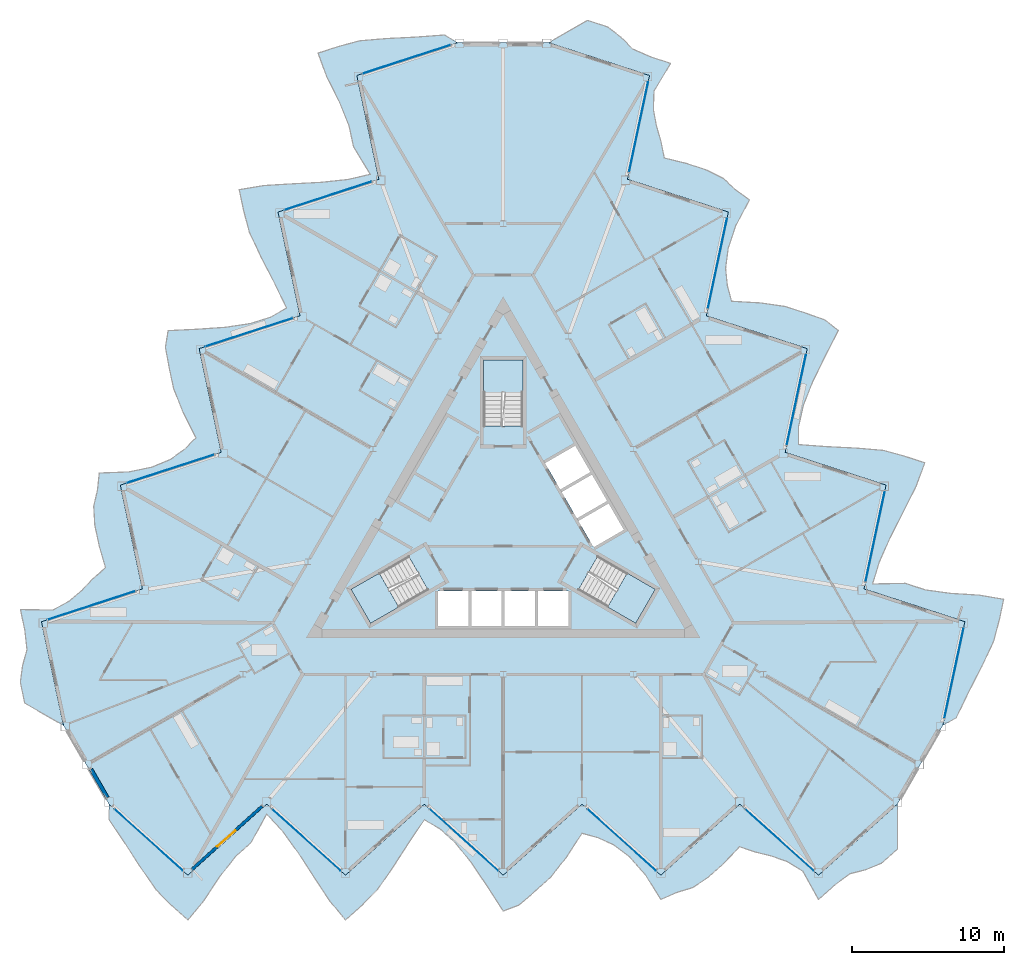
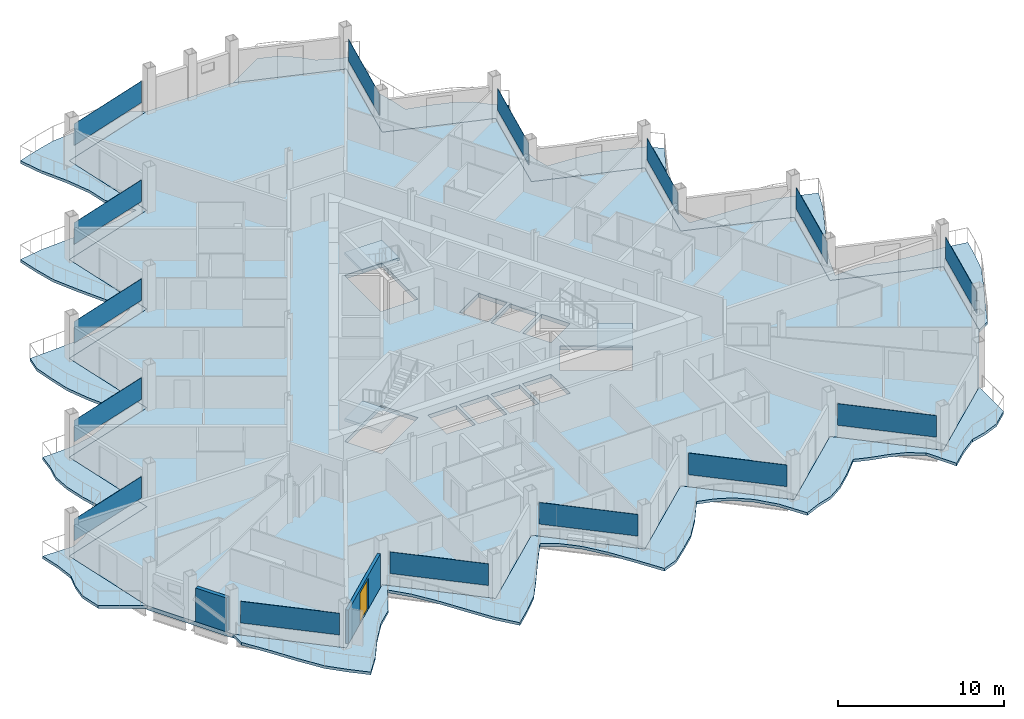
# One storey, part 11 of 26: 15 plates, 7 slabs, 2 walls, 1 door, 1 opening, 18 elements without a shape of their own.
"""IFC4 building model written with IfcOpenShell, lengths in metres."""

from ifc_helpers import new_model, si_unit, direction, frame, frame_2d, origin, origin_2d, place, context, subcontext, project, spatial, polyline, rectangle, outline, extrude, material, layer, layer_set, type_object, element, fill, aggregate, save


model = new_model("IFC4")

# Units and contexts
model_context = context("Model", 3, precision=1e-05, world=origin(), true_north=direction((0.0, 1.0)))
body_context = subcontext(model_context, "Body", "Model", "MODEL_VIEW")
ifc_project = project(units=[si_unit("LENGTHUNIT", "METRE"), si_unit("AREAUNIT", "SQUARE_METRE"), si_unit("VOLUMEUNIT", "CUBIC_METRE"), si_unit("PLANEANGLEUNIT", "RADIAN"), si_unit("MASSUNIT", "GRAM", prefix="KILO")], contexts=[model_context])

# Site, building, storey
site_placement = place(None, origin())
site = spatial("IfcSite", under=ifc_project, at=site_placement, CompositionType="ELEMENT")
building_placement = place(site_placement, origin())
building = spatial("IfcBuilding", under=site, at=building_placement, Name="Cormorant Prow Tower", CompositionType="ELEMENT")
storey_placement = place(building_placement, frame((0.0, 0.0, 339.199951171875)))
storey = spatial("IfcBuildingStorey", under=building, at=storey_placement, Name="L76", CompositionType="ELEMENT", Elevation=339.199951171875)

# Slabs
ifc_material_1 = material(Name="Concrete C40/50", Category="concrete")
ifc_layer_1 = layer(ifc_material_1, 0.199951171875)
ifc_layer_set_1 = layer_set([ifc_layer_1], Name="Concrete C40/50")
slab_type_1 = type_object("IfcSlabType", Name="Balcony slab 200", PredefinedType="FLOOR", material=ifc_layer_set_1)
slab_1_placement = place(storey_placement, frame((0.0, 0.0, -0.199951171875)))
element("IfcSlab", 1, at=slab_1_placement, inside=storey, type_object=slab_type_1, Name="Balcony slab S L76", PredefinedType="FLOOR", context=body_context, shape_type="SweptSolid", body=[
    extrude(outline(polyline([(-25.987548828125, -18.465576171875), (-25.987548828125, -19.481689453125), (-24.9482421875, -21.009033203125), (-23.90869140625, -22.62255859375), (-22.869140625, -24.122802734375), (-21.82958984375, -25.159423828125), (-20.7900390625, -26.095458984375), (-19.75048828125, -24.846923828125), (-18.711181640625, -23.275634765625), (-17.671630859375, -21.9375), (-16.632080078125, -21.00146484375), (-15.592529296875, -19.115478515625), (-14.552978515625, -20.232177734375), (-13.513671875, -21.66357421875), (-12.47412109375, -23.263916015625), (-11.4345703125, -24.83740234375), (-10.39501953125, -26.095458984375), (-9.35546875, -25.159423828125), (-8.316162109375, -24.13037109375), (-7.276611328125, -22.6337890625), (-6.237060546875, -21.020751953125), (-5.197509765625, -19.489990234375), (-4.157958984375, -20.089111328125), (-3.118408203125, -21.044677734375), (-2.0791015625, -22.351318359375), (-1.03955078125, -23.89990234375), (0.0, -25.510009765625), (1.03955078125, -25.111572265625), (2.0791015625, -24.223388671875), (3.118408203125, -23.287353515625), (4.157958984375, -21.96923828125), (5.197509765625, -20.38330078125), (6.237060546875, -20.6640625), (7.276611328125, -21.13232421875), (8.316162109375, -21.926025390625), (9.35546875, -23.08642578125), (10.39501953125, -24.745361328125), (11.4345703125, -24.283935546875), (12.47412109375, -23.968505859375), (13.513671875, -23.287353515625), (14.552978515625, -22.3515625), (15.592529296875, -21.26611328125), (16.632080078125, -21.616943359375), (17.671630859375, -21.875), (18.711181640625, -22.23974609375), (19.75048828125, -22.879150390625), (20.7900390625, -24.745361328125), (21.82958984375, -23.809326171875), (22.869140625, -23.047607421875), (23.90869140625, -22.779541015625), (24.9482421875, -22.3515625), (25.987548828125, -21.41552734375), (25.987548828125, -18.465576171875), (24.9482421875, -19.401611328125), (23.90869140625, -20.33740234375), (22.869140625, -21.2734375), (21.82958984375, -22.20947265625), (20.7900390625, -23.1455078125), (19.75048828125, -22.20947265625), (18.711181640625, -21.2734375), (17.671630859375, -20.33740234375), (16.632080078125, -19.401611328125), (15.592529296875, -18.465576171875), (14.552978515625, -19.401611328125), (13.513671875, -20.33740234375), (12.47412109375, -21.2734375), (11.4345703125, -22.20947265625), (10.39501953125, -23.1455078125), (9.35546875, -22.20947265625), (8.316162109375, -21.2734375), (7.276611328125, -20.33740234375), (6.237060546875, -19.401611328125), (5.197509765625, -18.465576171875), (4.157958984375, -19.401611328125), (3.118408203125, -20.33740234375), (2.0791015625, -21.2734375), (1.03955078125, -22.20947265625), (0.0, -23.1455078125), (-1.03955078125, -22.20947265625), (-2.0791015625, -21.2734375), (-3.118408203125, -20.33740234375), (-4.157958984375, -19.401611328125), (-5.197509765625, -18.465576171875), (-6.237060546875, -19.401611328125), (-7.276611328125, -20.33740234375), (-8.316162109375, -21.2734375), (-9.35546875, -22.20947265625), (-10.39501953125, -23.1455078125), (-11.4345703125, -22.20947265625), (-12.47412109375, -21.2734375), (-13.513671875, -20.33740234375), (-14.552978515625, -19.401611328125), (-15.592529296875, -18.465576171875), (-16.632080078125, -19.401611328125), (-17.671630859375, -20.33740234375), (-18.711181640625, -21.2734375), (-19.75048828125, -22.20947265625), (-20.7900390625, -23.1455078125), (-21.82958984375, -22.20947265625), (-22.869140625, -21.2734375), (-23.90869140625, -20.33740234375), (-24.9482421875, -19.401611328125), (-25.987548828125, -18.465576171875)])), origin(), (0.0, 0.0, 1.0), 0.199951171875),
])
slab_2_placement = place(storey_placement, frame((0.0, 0.0, -0.199951171875)))
element("IfcSlab", 2, at=slab_2_placement, inside=storey, type_object=slab_type_1, Name="Balcony slab ENE L76", PredefinedType="FLOOR", context=body_context, shape_type="SweptSolid", body=[
    extrude(outline(polyline([(28.9853515625, -13.273193359375), (29.865478515625, -12.76513671875), (30.66845703125, -11.10107421875), (31.546142578125, -9.394287109375), (32.325439453125, -7.743896484375), (32.70361328125, -6.3251953125), (32.994384765625, -4.95703125), (31.3935546875, -4.680908203125), (29.512939453125, -4.56640625), (27.834228515625, -4.335205078125), (26.50390625, -3.903076171875), (24.350830078125, -3.94580078125), (24.79833984375, -2.4873046875), (25.51806640625, -0.871337890625), (26.384033203125, 0.8291015625), (27.22705078125, 2.51611328125), (27.796875, 4.04541015625), (26.466552734375, 4.4775390625), (25.0556640625, 4.86328125), (23.23974609375, 5.015380859375), (21.322998046875, 5.10888671875), (19.4775390625, 5.243896484375), (19.4765625, 6.443603515625), (19.784423828125, 7.821533203125), (20.396240234375, 9.375244140625), (21.217529296875, 11.049560546875), (22.09228515625, 12.755126953125), (21.2275390625, 13.4560546875), (19.938720703125, 13.912109375), (18.6083984375, 14.344482421875), (16.94677734375, 14.58544921875), (15.0537109375, 14.69287109375), (14.777099609375, 15.7333984375), (14.6630859375, 16.867919921875), (14.830322265625, 18.164794921875), (15.315673828125, 19.645263671875), (16.232666015625, 21.375), (15.313232421875, 22.04443359375), (14.520263671875, 22.787109375), (13.41064453125, 23.346923828125), (12.080322265625, 23.779052734375), (10.62060546875, 24.136474609375), (10.40478515625, 25.212158203125), (10.1083984375, 26.241455078125), (9.904541015625, 27.32421875), (9.938720703125, 28.544189453125), (11.03515625, 30.37744140625), (9.704833984375, 30.809814453125), (8.525146484375, 31.3291015625), (7.773193359375, 32.09521484375), (6.8828125, 32.781494140625), (5.552490234375, 33.213623046875), (2.997802734375, 31.73876953125), (4.328125, 31.306396484375), (5.658447265625, 30.874267578125), (6.98876953125, 30.44189453125), (8.319091796875, 30.009765625), (9.6494140625, 29.577392578125), (9.358642578125, 28.209228515625), (9.06787109375, 26.841064453125), (8.77685546875, 25.472900390625), (8.486083984375, 24.1044921875), (8.1953125, 22.736328125), (9.525634765625, 22.30419921875), (10.85595703125, 21.871826171875), (12.186279296875, 21.439697265625), (13.5166015625, 21.00732421875), (14.846923828125, 20.5751953125), (14.55615234375, 19.206787109375), (14.265380859375, 17.838623046875), (13.974609375, 16.470458984375), (13.68359375, 15.102294921875), (13.392822265625, 13.73388671875), (14.72314453125, 13.3017578125), (16.053466796875, 12.869384765625), (17.3837890625, 12.437255859375), (18.714111328125, 12.0048828125), (20.04443359375, 11.57275390625), (19.753662109375, 10.20458984375), (19.462890625, 8.836181640625), (19.172119140625, 7.468017578125), (18.881103515625, 6.099853515625), (18.59033203125, 4.7314453125), (19.920654296875, 4.29931640625), (21.2509765625, 3.866943359375), (22.581298828125, 3.434814453125), (23.91162109375, 3.002685546875), (25.241943359375, 2.5703125), (24.951171875, 1.2021484375), (24.660400390625, -0.166259765625), (24.36962890625, -1.534423828125), (24.07861328125, -2.902587890625), (23.787841796875, -4.270751953125), (25.1181640625, -4.703125), (26.448486328125, -5.13525390625), (27.77880859375, -5.567626953125), (29.109130859375, -5.999755859375), (30.439453125, -6.43212890625), (30.148681640625, -7.80029296875), (29.85791015625, -9.16845703125), (29.567138671875, -10.536865234375), (29.2763671875, -11.905029296875), (28.9853515625, -13.273193359375)])), origin(), (0.0, 0.0, 1.0), 0.199951171875),
])
slab_3_placement = place(storey_placement, frame((0.0, 0.0, -0.199951171875)))
element("IfcSlab", 3, at=slab_3_placement, inside=storey, type_object=slab_type_1, Name="Balcony slab WNW L76", PredefinedType="FLOOR", context=body_context, shape_type="SweptSolid", body=[
    extrude(outline(polyline([(-2.997802734375, 31.73876953125), (-3.877685546875, 32.246826171875), (-5.720458984375, 32.1103515625), (-7.637451171875, 32.016845703125), (-9.456298828125, 31.86669921875), (-10.873779296875, 31.484619140625), (-12.2041015625, 31.052490234375), (-11.642822265625, 29.528076171875), (-10.8017578125, 27.842041015625), (-10.16259765625, 26.272705078125), (-9.871826171875, 24.904541015625), (-8.75830078125, 23.061279296875), (-10.2451171875, 22.719482421875), (-12.00439453125, 22.534912109375), (-13.91015625, 22.434814453125), (-15.79248046875, 22.3212890625), (-17.40185546875, 22.050048828125), (-17.11083984375, 20.681884765625), (-16.739501953125, 19.26708984375), (-15.963134765625, 17.61865234375), (-15.0859375, 15.911865234375), (-14.280029296875, 14.246337890625), (-15.318603515625, 13.6455078125), (-16.666015625, 13.22314453125), (-18.3173828125, 12.97607421875), (-20.17822265625, 12.85009765625), (-22.09228515625, 12.755126953125), (-22.26708984375, 11.655517578125), (-22.017578125, 10.311279296875), (-21.726806640625, 8.943115234375), (-21.10498046875, 7.383544921875), (-20.251220703125, 5.6904296875), (-21.01416015625, 4.9306640625), (-21.939453125, 4.2646484375), (-23.146484375, 3.760986328125), (-24.671142578125, 3.441162109375), (-26.627685546875, 3.370361328125), (-26.747802734375, 2.2392578125), (-26.994384765625, 1.181396484375), (-26.92431640625, -0.059326171875), (-26.633544921875, -1.427490234375), (-26.213134765625, -2.87060546875), (-27.036865234375, -3.595458984375), (-27.780029296875, -4.36669921875), (-28.61572265625, -5.08447265625), (-29.689208984375, -5.6650390625), (-31.8251953125, -5.632080078125), (-31.534423828125, -7.000244140625), (-31.394287109375, -8.281494140625), (-31.681884765625, -9.315673828125), (-31.8310546875, -10.429931640625), (-31.540283203125, -11.798095703125), (-28.9853515625, -13.273193359375), (-29.2763671875, -11.905029296875), (-29.567138671875, -10.536865234375), (-29.85791015625, -9.16845703125), (-30.148681640625, -7.80029296875), (-30.439453125, -6.43212890625), (-29.109130859375, -5.999755859375), (-27.77880859375, -5.567626953125), (-26.448486328125, -5.13525390625), (-25.1181640625, -4.703125), (-23.787841796875, -4.270751953125), (-24.07861328125, -2.902587890625), (-24.36962890625, -1.534423828125), (-24.660400390625, -0.166259765625), (-24.951171875, 1.2021484375), (-25.241943359375, 2.5703125), (-23.91162109375, 3.002685546875), (-22.581298828125, 3.434814453125), (-21.2509765625, 3.866943359375), (-19.920654296875, 4.29931640625), (-18.59033203125, 4.7314453125), (-18.881103515625, 6.099853515625), (-19.172119140625, 7.468017578125), (-19.462890625, 8.836181640625), (-19.753662109375, 10.20458984375), (-20.04443359375, 11.57275390625), (-18.714111328125, 12.0048828125), (-17.3837890625, 12.437255859375), (-16.053466796875, 12.869384765625), (-14.72314453125, 13.3017578125), (-13.392822265625, 13.73388671875), (-13.68359375, 15.102294921875), (-13.974609375, 16.470458984375), (-14.265380859375, 17.838623046875), (-14.55615234375, 19.206787109375), (-14.846923828125, 20.5751953125), (-13.5166015625, 21.00732421875), (-12.186279296875, 21.439697265625), (-10.85595703125, 21.871826171875), (-9.525634765625, 22.30419921875), (-8.1953125, 22.736328125), (-8.486083984375, 24.1044921875), (-8.77685546875, 25.472900390625), (-9.06787109375, 26.841064453125), (-9.358642578125, 28.209228515625), (-9.6494140625, 29.577392578125), (-8.319091796875, 30.009765625), (-6.98876953125, 30.44189453125), (-5.658447265625, 30.874267578125), (-4.328125, 31.306396484375), (-2.997802734375, 31.73876953125)])), origin(), (0.0, 0.0, 1.0), 0.199951171875),
])
ifc_material_2 = material(Name="Concrete C40/50", Category="concrete")
ifc_layer_2 = layer(ifc_material_2, 0.300048828125)
ifc_layer_set_2 = layer_set([ifc_layer_2], Name="Concrete C40/50")
slab_type_2 = type_object("IfcSlabType", Name="Post-tensioned flat slab 300", PredefinedType="FLOOR", material=ifc_layer_set_2)
slab_4_placement = place(storey_placement, frame((0.0, 0.0, -0.300048828125)))
element("IfcSlab", 4, at=slab_4_placement, inside=storey, type_object=slab_type_2, Name="Floor slab L76", PredefinedType="FLOOR", context=body_context, shape_type="SweptSolid", body=[
    extrude(outline(polyline([(-8.1953125, 22.736328125), (-14.846923828125, 20.5751953125), (-13.392822265625, 13.73388671875), (-20.04443359375, 11.57275390625), (-18.59033203125, 4.7314453125), (-25.241943359375, 2.5703125), (-23.787841796875, -4.270751953125), (-30.439453125, -6.43212890625), (-28.9853515625, -13.273193359375), (-27.486572265625, -15.869384765625), (-25.987548828125, -18.465576171875), (-20.7900390625, -23.1455078125), (-15.592529296875, -18.465576171875), (-10.39501953125, -23.1455078125), (-5.197509765625, -18.465576171875), (0.0, -23.1455078125), (5.197509765625, -18.465576171875), (10.39501953125, -23.1455078125), (15.592529296875, -18.465576171875), (20.7900390625, -23.1455078125), (25.987548828125, -18.465576171875), (27.486572265625, -15.869384765625), (28.9853515625, -13.273193359375), (30.439453125, -6.43212890625), (23.787841796875, -4.270751953125), (25.241943359375, 2.5703125), (18.59033203125, 4.7314453125), (20.04443359375, 11.57275390625), (13.392822265625, 13.73388671875), (14.846923828125, 20.5751953125), (8.1953125, 22.736328125), (9.6494140625, 29.577392578125), (2.997802734375, 31.73876953125), (0.0, 31.73876953125), (-2.997802734375, 31.73876953125), (-9.6494140625, 29.577392578125), (-8.1953125, 22.736328125)]), holes=[polyline([(-4.300048828125, -4.39990234375), (-2.300048828125, -4.39990234375), (-2.300048828125, -6.699951171875), (-4.300048828125, -6.699951171875), (-4.300048828125, -4.39990234375)]), polyline([(-0.10009765625, -4.39990234375), (-0.10009765625, -6.699951171875), (-2.10009765625, -6.699951171875), (-2.10009765625, -4.39990234375), (-0.10009765625, -4.39990234375)]), polyline([(2.10009765625, -6.699951171875), (0.10009765625, -6.699951171875), (0.10009765625, -4.39990234375), (2.10009765625, -4.39990234375), (2.10009765625, -6.699951171875)]), polyline([(2.300048828125, -6.699951171875), (2.300048828125, -4.39990234375), (4.300048828125, -4.39990234375), (4.300048828125, -6.699951171875), (2.300048828125, -6.699951171875)]), polyline([(5.96044921875, -1.52392578125), (4.96044921875, 0.2080078125), (6.952392578125, 1.358154296875), (7.952392578125, -0.373779296875), (5.96044921875, -1.52392578125)]), polyline([(3.860595703125, 2.11328125), (5.852294921875, 3.263427734375), (6.852294921875, 1.53125), (4.860595703125, 0.38134765625), (3.860595703125, 2.11328125)]), polyline([(4.75244140625, 5.168701171875), (5.75244140625, 3.4365234375), (3.760498046875, 2.28662109375), (2.760498046875, 4.018798828125), (4.75244140625, 5.168701171875)]), polyline([(-4.947509765625, -4.3505859375), (-8.738037109375, -6.5390625), (-10.031982421875, -4.2978515625), (-6.241455078125, -2.109375), (-4.947509765625, -4.3505859375)]), polyline([(10.031982421875, -4.2978515625), (8.738037109375, -6.5390625), (4.947509765625, -4.3505859375), (6.241455078125, -2.109375), (10.031982421875, -4.2978515625)]), polyline([(1.2939453125, 10.8369140625), (1.2939453125, 6.459716796875), (-1.2939453125, 6.459716796875), (-1.2939453125, 10.8369140625), (1.2939453125, 10.8369140625)])]), origin(), (0.0, 0.0, 1.0), 0.300048828125),
])

# Curtain wall, plate
ifc_material_3 = material(Name="Aluminium 6063-T6", Category="aluminium")
ifc_layer_3 = layer(ifc_material_3, 0.159912109375)
ifc_layer_set_3 = layer_set([ifc_layer_3], Name="Aluminium 6063-T6")
curtain_wall_type = type_object("IfcCurtainWallType", Name="Residential unitised curtain wall 160", PredefinedType="NOTDEFINED", material=ifc_layer_set_3)
curtain_wall_1_placement = place(storey_placement, origin())
curtain_wall_1 = element("IfcCurtainWall", 5, at=curtain_wall_1_placement, inside=storey, type_object=curtain_wall_type, Name="Residential curtain wall S00", PredefinedType="NOTDEFINED")
ifc_material_4 = material(Name="Clear glass", Category="glass")
ifc_layer_4 = layer(ifc_material_4, 0.02392578125)
ifc_layer_set_4 = layer_set([ifc_layer_4], Name="Clear glass")
plate_type = type_object("IfcPlateType", Name="Residential glass panel 24", PredefinedType="CURTAIN_PANEL", material=ifc_layer_set_4)
plate_1_placement = place(storey_placement, frame((-23.370361328125, -20.822265625, 0.900146484375), z_axis=(0.0, 0.0, 1.0), x_axis=(0.743144777922, -0.669130659174, 0.0)))
plate_1 = element("IfcPlate", 6, at=plate_1_placement, type_object=plate_type, Name="Residential glass panel S00", PredefinedType="CURTAIN_PANEL", context=body_context, shape_type="SweptSolid", body=[
    extrude(rectangle(XDim=6.075927734375, YDim=0.02392578125, at=origin_2d()), origin(), (0.0, 0.0, 1.0), 1.587890625),
])
aggregate(curtain_wall_1, [plate_1])

curtain_wall_2_placement = place(storey_placement, origin())
curtain_wall_2 = element("IfcCurtainWall", 7, at=curtain_wall_2_placement, inside=storey, type_object=curtain_wall_type, Name="Residential curtain wall S02", PredefinedType="NOTDEFINED")
plate_2_placement = place(storey_placement, frame((-12.975341796875, -20.822265625, 0.900146484375), z_axis=(0.0, 0.0, 1.0), x_axis=(0.743144841944, -0.669130588071, 0.0)))
plate_2 = element("IfcPlate", 8, at=plate_2_placement, type_object=plate_type, Name="Residential glass panel S02", PredefinedType="CURTAIN_PANEL", context=body_context, shape_type="SweptSolid", body=[
    extrude(rectangle(XDim=6.075927734375, YDim=0.02392578125, at=origin_2d()), origin(), (0.0, 0.0, 1.0), 1.587890625),
])
aggregate(curtain_wall_2, [plate_2])

curtain_wall_3_placement = place(storey_placement, origin())
curtain_wall_3 = element("IfcCurtainWall", 9, at=curtain_wall_3_placement, inside=storey, type_object=curtain_wall_type, Name="Residential curtain wall S04", PredefinedType="NOTDEFINED")
plate_3_placement = place(storey_placement, frame((-2.580078125, -20.822265625, 0.900146484375), z_axis=(0.0, 0.0, 1.0), x_axis=(0.743144841944, -0.669130588071, 0.0)))
plate_3 = element("IfcPlate", 10, at=plate_3_placement, type_object=plate_type, Name="Residential glass panel S04", PredefinedType="CURTAIN_PANEL", context=body_context, shape_type="SweptSolid", body=[
    extrude(rectangle(XDim=6.075927734375, YDim=0.02392578125, at=origin_2d()), origin(), (0.0, 0.0, 1.0), 1.587890625),
])
aggregate(curtain_wall_3, [plate_3])

curtain_wall_4_placement = place(storey_placement, origin())
curtain_wall_4 = element("IfcCurtainWall", 11, at=curtain_wall_4_placement, inside=storey, type_object=curtain_wall_type, Name="Residential curtain wall S06", PredefinedType="NOTDEFINED")
plate_4_placement = place(storey_placement, frame((7.81494140625, -20.822265625, 0.900146484375), z_axis=(0.0, 0.0, 1.0), x_axis=(0.743144777922, -0.669130659174, 0.0)))
plate_4 = element("IfcPlate", 12, at=plate_4_placement, type_object=plate_type, Name="Residential glass panel S06", PredefinedType="CURTAIN_PANEL", context=body_context, shape_type="SweptSolid", body=[
    extrude(rectangle(XDim=6.075927734375, YDim=0.02392578125, at=origin_2d()), origin(), (0.0, 0.0, 1.0), 1.587890625),
])
aggregate(curtain_wall_4, [plate_4])

curtain_wall_5_placement = place(storey_placement, origin())
curtain_wall_5 = element("IfcCurtainWall", 13, at=curtain_wall_5_placement, inside=storey, type_object=curtain_wall_type, Name="Residential curtain wall S08", PredefinedType="NOTDEFINED")
plate_5_placement = place(storey_placement, frame((18.2099609375, -20.822265625, 0.900146484375), z_axis=(0.0, 0.0, 1.0), x_axis=(0.743144841944, -0.669130588071, 0.0)))
plate_5 = element("IfcPlate", 14, at=plate_5_placement, type_object=plate_type, Name="Residential glass panel S08", PredefinedType="CURTAIN_PANEL", context=body_context, shape_type="SweptSolid", body=[
    extrude(rectangle(XDim=6.075927734375, YDim=0.02392578125, at=origin_2d()), origin(), (0.0, 0.0, 1.0), 1.587890625),
])
aggregate(curtain_wall_5, [plate_5])

curtain_wall_6_placement = place(storey_placement, origin())
curtain_wall_6 = element("IfcCurtainWall", 15, at=curtain_wall_6_placement, inside=storey, type_object=curtain_wall_type, Name="Residential curtain wall ENE00", PredefinedType="NOTDEFINED")
plate_6_placement = place(storey_placement, frame((29.7177734375, -9.828125, 0.900146484375), z_axis=(0.0, 0.0, 1.0), x_axis=(0.207911710211, 0.978147596612, 0.0)))
plate_6 = element("IfcPlate", 16, at=plate_6_placement, type_object=plate_type, Name="Residential glass panel ENE00", PredefinedType="CURTAIN_PANEL", context=body_context, shape_type="SweptSolid", body=[
    extrude(rectangle(XDim=6.075927734375, YDim=0.02392578125, at=origin_2d()), origin(), (0.0, 0.0, 1.0), 1.587890625),
])
aggregate(curtain_wall_6, [plate_6])

curtain_wall_7_placement = place(storey_placement, origin())
curtain_wall_7 = element("IfcCurtainWall", 17, at=curtain_wall_7_placement, inside=storey, type_object=curtain_wall_type, Name="Residential curtain wall ENE02", PredefinedType="NOTDEFINED")
plate_7_placement = place(storey_placement, frame((24.520263671875, -0.82568359375, 0.900146484375), z_axis=(0.0, 0.0, 1.0), x_axis=(0.207911739302, 0.978147590428, 0.0)))
plate_7 = element("IfcPlate", 18, at=plate_7_placement, type_object=plate_type, Name="Residential glass panel ENE02", PredefinedType="CURTAIN_PANEL", context=body_context, shape_type="SweptSolid", body=[
    extrude(rectangle(XDim=6.075927734375, YDim=0.02392578125, at=origin_2d()), origin(), (0.0, 0.0, 1.0), 1.587890625),
])
aggregate(curtain_wall_7, [plate_7])

curtain_wall_8_placement = place(storey_placement, origin())
curtain_wall_8 = element("IfcCurtainWall", 19, at=curtain_wall_8_placement, inside=storey, type_object=curtain_wall_type, Name="Residential curtain wall ENE04", PredefinedType="NOTDEFINED")
plate_8_placement = place(storey_placement, frame((19.322509765625, 8.176513671875, 0.900146484375), z_axis=(0.0, 0.0, 1.0), x_axis=(0.207911739302, 0.978147590428, 0.0)))
plate_8 = element("IfcPlate", 20, at=plate_8_placement, type_object=plate_type, Name="Residential glass panel ENE04", PredefinedType="CURTAIN_PANEL", context=body_context, shape_type="SweptSolid", body=[
    extrude(rectangle(XDim=6.075927734375, YDim=0.02392578125, at=origin_2d()), origin(), (0.0, 0.0, 1.0), 1.587890625),
])
aggregate(curtain_wall_8, [plate_8])

curtain_wall_9_placement = place(storey_placement, origin())
curtain_wall_9 = element("IfcCurtainWall", 21, at=curtain_wall_9_placement, inside=storey, type_object=curtain_wall_type, Name="Residential curtain wall ENE06", PredefinedType="NOTDEFINED")
plate_9_placement = place(storey_placement, frame((14.125, 17.178955078125, 0.900146484375), z_axis=(0.0, 0.0, 1.0), x_axis=(0.207911739302, 0.978147590428, 0.0)))
plate_9 = element("IfcPlate", 22, at=plate_9_placement, type_object=plate_type, Name="Residential glass panel ENE06", PredefinedType="CURTAIN_PANEL", context=body_context, shape_type="SweptSolid", body=[
    extrude(rectangle(XDim=6.075927734375, YDim=0.02392578125, at=origin_2d()), origin(), (0.0, 0.0, 1.0), 1.587890625),
])
aggregate(curtain_wall_9, [plate_9])

curtain_wall_10_placement = place(storey_placement, origin())
curtain_wall_10 = element("IfcCurtainWall", 23, at=curtain_wall_10_placement, inside=storey, type_object=curtain_wall_type, Name="Residential curtain wall ENE08", PredefinedType="NOTDEFINED")
plate_10_placement = place(storey_placement, frame((8.927490234375, 26.181396484375, 0.900146484375), z_axis=(0.0, 0.0, 1.0), x_axis=(0.207911602505, 0.978147619505, 0.0)))
plate_10 = element("IfcPlate", 24, at=plate_10_placement, type_object=plate_type, Name="Residential glass panel ENE08", PredefinedType="CURTAIN_PANEL", context=body_context, shape_type="SweptSolid", body=[
    extrude(rectangle(XDim=6.075927734375, YDim=0.02392578125, at=origin_2d()), origin(), (0.0, 0.0, 1.0), 1.587890625),
])
aggregate(curtain_wall_10, [plate_10])

curtain_wall_11_placement = place(storey_placement, origin())
curtain_wall_11 = element("IfcCurtainWall", 25, at=curtain_wall_11_placement, inside=storey, type_object=curtain_wall_type, Name="Residential curtain wall WNW00", PredefinedType="NOTDEFINED")
plate_11_placement = place(storey_placement, frame((-6.347412109375, 30.650390625, 0.900146484375), z_axis=(0.0, 0.0, 1.0), x_axis=(-0.951056490963, -0.309017072341, 0.0)))
plate_11 = element("IfcPlate", 26, at=plate_11_placement, type_object=plate_type, Name="Residential glass panel WNW00", PredefinedType="CURTAIN_PANEL", context=body_context, shape_type="SweptSolid", body=[
    extrude(rectangle(XDim=6.075927734375, YDim=0.02392578125, at=origin_2d()), origin(), (0.0, 0.0, 1.0), 1.587890625),
])
aggregate(curtain_wall_11, [plate_11])

curtain_wall_12_placement = place(storey_placement, origin())
curtain_wall_12 = element("IfcCurtainWall", 27, at=curtain_wall_12_placement, inside=storey, type_object=curtain_wall_type, Name="Residential curtain wall WNW02", PredefinedType="NOTDEFINED")
plate_12_placement = place(storey_placement, frame((-11.544921875, 21.64794921875, 0.900146484375), z_axis=(0.0, 0.0, 1.0), x_axis=(-0.951056490963, -0.309017072341, 0.0)))
plate_12 = element("IfcPlate", 28, at=plate_12_placement, type_object=plate_type, Name="Residential glass panel WNW02", PredefinedType="CURTAIN_PANEL", context=body_context, shape_type="SweptSolid", body=[
    extrude(rectangle(XDim=6.075927734375, YDim=0.02392578125, at=origin_2d()), origin(), (0.0, 0.0, 1.0), 1.587890625),
])
aggregate(curtain_wall_12, [plate_12])

curtain_wall_13_placement = place(storey_placement, origin())
curtain_wall_13 = element("IfcCurtainWall", 29, at=curtain_wall_13_placement, inside=storey, type_object=curtain_wall_type, Name="Residential curtain wall WNW04", PredefinedType="NOTDEFINED")
plate_13_placement = place(storey_placement, frame((-16.742431640625, 12.6455078125, 0.900146484375), z_axis=(0.0, 0.0, 1.0), x_axis=(-0.951056504613, -0.309017030329, 0.0)))
plate_13 = element("IfcPlate", 30, at=plate_13_placement, type_object=plate_type, Name="Residential glass panel WNW04", PredefinedType="CURTAIN_PANEL", context=body_context, shape_type="SweptSolid", body=[
    extrude(rectangle(XDim=6.075927734375, YDim=0.02392578125, at=origin_2d()), origin(), (0.0, 0.0, 1.0), 1.587890625),
])
aggregate(curtain_wall_13, [plate_13])

curtain_wall_14_placement = place(storey_placement, origin())
curtain_wall_14 = element("IfcCurtainWall", 31, at=curtain_wall_14_placement, inside=storey, type_object=curtain_wall_type, Name="Residential curtain wall WNW06", PredefinedType="NOTDEFINED")
plate_14_placement = place(storey_placement, frame((-21.93994140625, 3.643310546875, 0.900146484375), z_axis=(0.0, 0.0, 1.0), x_axis=(-0.951056504613, -0.309017030329, 0.0)))
plate_14 = element("IfcPlate", 32, at=plate_14_placement, type_object=plate_type, Name="Residential glass panel WNW06", PredefinedType="CURTAIN_PANEL", context=body_context, shape_type="SweptSolid", body=[
    extrude(rectangle(XDim=6.075927734375, YDim=0.02392578125, at=origin_2d()), origin(), (0.0, 0.0, 1.0), 1.587890625),
])
aggregate(curtain_wall_14, [plate_14])

curtain_wall_15_placement = place(storey_placement, origin())
curtain_wall_15 = element("IfcCurtainWall", 33, at=curtain_wall_15_placement, inside=storey, type_object=curtain_wall_type, Name="Residential curtain wall WNW08", PredefinedType="NOTDEFINED")
plate_15_placement = place(storey_placement, frame((-27.137451171875, -5.359130859375, 0.900146484375), z_axis=(0.0, 0.0, 1.0), x_axis=(-0.951056490963, -0.309017072341, 0.0)))
plate_15 = element("IfcPlate", 34, at=plate_15_placement, type_object=plate_type, Name="Residential glass panel WNW08", PredefinedType="CURTAIN_PANEL", context=body_context, shape_type="SweptSolid", body=[
    extrude(rectangle(XDim=6.075927734375, YDim=0.02392578125, at=origin_2d()), origin(), (0.0, 0.0, 1.0), 1.587890625),
])
aggregate(curtain_wall_15, [plate_15])

# Stair, slab
ifc_material_5 = material(Name="Exit stair 18 risers")
stair_type = type_object("IfcStairType", Name="Exit stair 18 risers", PredefinedType="HALF_TURN_STAIR", material=ifc_material_5)
stair_1_placement = place(storey_placement, origin())
stair_1 = element("IfcStair", 35, at=stair_1_placement, inside=storey, type_object=stair_type, Name="L76 Exit stair ST1", PredefinedType="HALF_TURN_STAIR")
ifc_material_6 = material(Name="Concrete 5000 psi", Category="concrete")
ifc_layer_5 = layer(ifc_material_6, 0.199951171875)
ifc_layer_set_5 = layer_set([ifc_layer_5], Name="Concrete 5000 psi")
slab_type_3 = type_object("IfcSlabType", Name="Stair landing 200", PredefinedType="LANDING", material=ifc_layer_set_5)
slab_5_placement = place(storey_placement, frame((0.0, 0.0, 1.5)))
slab_5 = element("IfcSlab", 36, at=slab_5_placement, type_object=slab_type_3, Name="ST1 landing 1", PredefinedType="LANDING", context=body_context, shape_type="SweptSolid", body=[
    extrude(outline(polyline([(-8.17431640625, -3.225341796875), (-10.031982421875, -4.2978515625), (-8.738037109375, -6.5390625), (-6.88037109375, -5.466552734375), (-8.17431640625, -3.225341796875)])), origin(), (0.0, 0.0, 1.0), 0.199951171875),
])
aggregate(stair_1, [slab_5])

stair_2_placement = place(storey_placement, origin())
stair_2 = element("IfcStair", 37, at=stair_2_placement, inside=storey, type_object=stair_type, Name="L76 Exit stair ST2", PredefinedType="HALF_TURN_STAIR")
slab_6_placement = place(storey_placement, frame((0.0, 0.0, 1.5)))
slab_6 = element("IfcSlab", 38, at=slab_6_placement, type_object=slab_type_3, Name="ST2 landing 1", PredefinedType="LANDING", context=body_context, shape_type="SweptSolid", body=[
    extrude(outline(polyline([(6.88037109375, -5.466552734375), (8.738037109375, -6.5390625), (10.031982421875, -4.2978515625), (8.17431640625, -3.225341796875), (6.88037109375, -5.466552734375)])), origin(), (0.0, 0.0, 1.0), 0.199951171875),
])
aggregate(stair_2, [slab_6])

stair_3_placement = place(storey_placement, origin())
stair_3 = element("IfcStair", 39, at=stair_3_placement, inside=storey, type_object=stair_type, Name="L76 Exit stair ST3", PredefinedType="HALF_TURN_STAIR")
slab_7_placement = place(storey_placement, frame((0.0, 0.0, 1.5)))
slab_7 = element("IfcSlab", 40, at=slab_7_placement, type_object=slab_type_3, Name="ST3 landing 1", PredefinedType="LANDING", context=body_context, shape_type="SweptSolid", body=[
    extrude(outline(polyline([(1.2939453125, 8.69189453125), (1.2939453125, 10.8369140625), (-1.2939453125, 10.8369140625), (-1.2939453125, 8.69189453125), (1.2939453125, 8.69189453125)])), origin(), (0.0, 0.0, 1.0), 0.199951171875),
])
aggregate(stair_3, [slab_7])

# Wall
ifc_material_7 = material(Name="Terracotta", Category="masonry")
ifc_layer_6 = layer(ifc_material_7, 0.25)
ifc_layer_set_6 = layer_set([ifc_layer_6], Name="Terracotta")
wall_type_1 = type_object("IfcWallType", Name="Terracotta bay wall 250", PredefinedType="SOLIDWALL", material=ifc_layer_set_6)
wall_1_placement = place(storey_placement, frame((-27.175537109375, -16.157958984375, 0.0), z_axis=(0.0, 0.0, 1.0), x_axis=(0.499983569942, -0.866034889475, 0.0)))
element("IfcWall", 41, at=wall_1_placement, inside=storey, type_object=wall_type_1, Name="Terracotta bay wall WSW01", PredefinedType="SOLIDWALL", context=body_context, shape_type="SweptSolid", body=[
    extrude(rectangle(XDim=2.158203125, YDim=0.25, at=frame_2d((1.0791015625, 0.0))), origin(), (0.0, 0.0, 1.0), 2.488037109375),
])

# Wall, opening, door
ifc_material_8 = material(Name="Terracotta", Category="masonry")
ifc_layer_7 = layer(ifc_material_8, 0.199951171875)
ifc_layer_set_7 = layer_set([ifc_layer_7], Name="Terracotta")
wall_type_2 = type_object("IfcWallType", Name="Terracotta jamb wall 200", PredefinedType="SOLIDWALL", material=ifc_layer_set_7)
wall_2_placement = place(storey_placement, frame((-20.534423828125, -22.78076171875, 0.0), z_axis=(0.0, 0.0, 1.0), x_axis=(0.743130709041, 0.669146283917, 0.0)))
wall_2 = element("IfcWall", 42, at=wall_2_placement, inside=storey, type_object=wall_type_2, Name="Terracotta jamb wall S01", PredefinedType="SOLIDWALL", context=body_context, shape_type="SweptSolid", body=[
    extrude(rectangle(XDim=6.239990234375, YDim=0.199951171875, at=frame_2d((3.1201171875, 0.0))), origin(), (0.0, 0.0, 1.0), 2.488037109375),
])
opening_placement = place(wall_2_placement, frame((2.262939453125, 0.0, 0.0)))
opening = element("IfcOpeningElement", 43, at=opening_placement, cuts=wall_2, Name="Opening ED76.01", PredefinedType="OPENING", context=body_context, shape_type="SweptSolid", body=[
    extrude(rectangle(XDim=1.60009765625, YDim=2.25, at=frame_2d((0.800048828125, 1.125))), frame((0.0, 0.10986328125, 0.0), z_axis=(0.0, -1.0, 0.0), x_axis=(1.0, 0.0, 0.0)), (0.0, 0.0, 1.0), 0.219970703125),
])
ifc_material_9 = material(Name="Aluminium 6063-T6", Category="aluminium")
door_type = type_object("IfcDoorType", Name="Balcony door 1600x2250", OperationType="DOUBLE_DOOR_SINGLE_SWING", PredefinedType="DOOR", material=ifc_material_9)
door_placement = place(opening_placement, origin())
door = element("IfcDoor", 44, at=door_placement, inside=storey, type_object=door_type, Name="Balcony door S01 ED76.01", OperationType="DOUBLE_DOOR_SINGLE_SWING", OverallHeight=2.25, OverallWidth=1.60009765625, PredefinedType="DOOR", context=body_context, shape_type="SweptSolid", body=[
    extrude(rectangle(XDim=1.60009765625, YDim=2.25, at=frame_2d((0.800048828125, 1.125))), frame((0.0, 0.02490234375, 0.0), z_axis=(0.0, -1.0, 0.0), x_axis=(1.0, 0.0, 0.0)), (0.0, 0.0, 1.0), 0.050048828125),
])
fill(opening, door)

save(model, "model.ifc")
